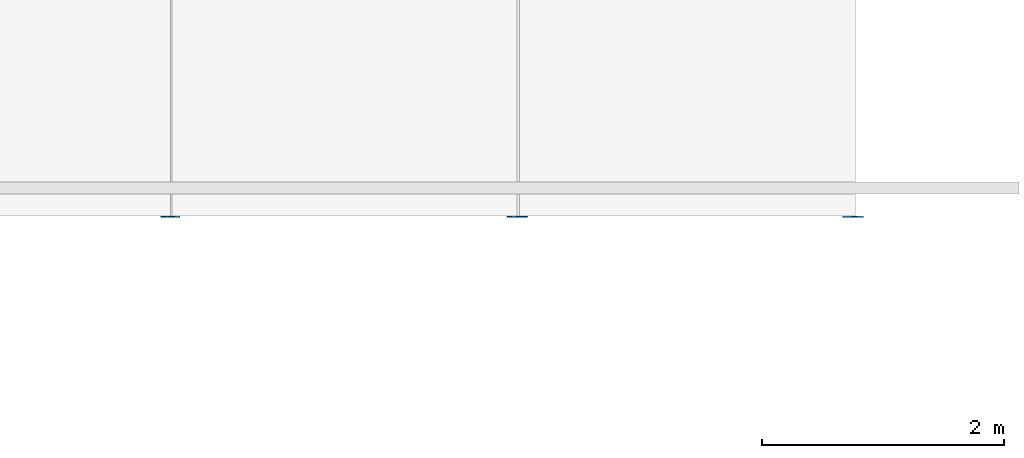
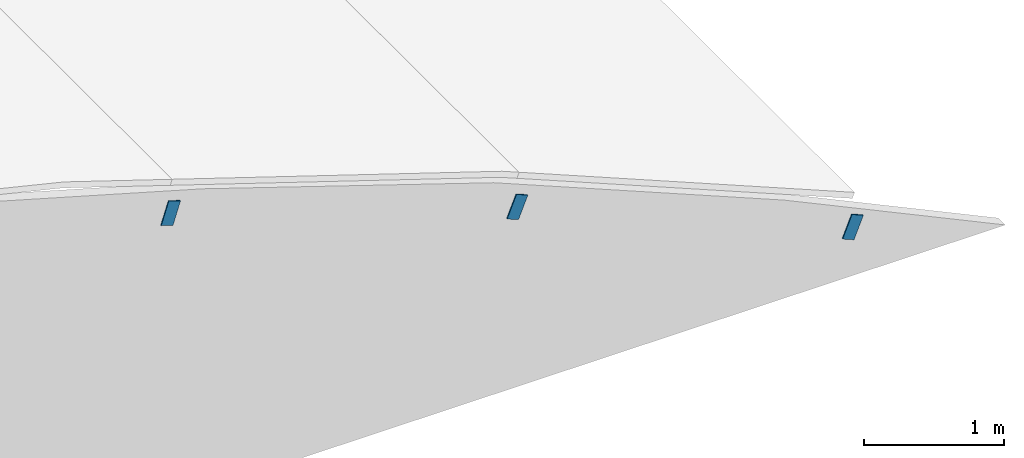
# One storey, part 11 of 17: 3 discrete accessories.
"""IFC4 building model written with IfcOpenShell, lengths in metres."""

from ifc_helpers import new_model, si_unit, direction, frame, origin, origin_2d, place, context, subcontext, project, spatial, rectangle, extrude, material, material_profile, profile_set, type_object, element, save


model = new_model("IFC4")

# Units and contexts
model_context = context("Model", 3, precision=1e-05, world=origin(), true_north=direction((0.0, 1.0)))
body_context = subcontext(model_context, "Body", "Model", "MODEL_VIEW")
ifc_project = project(units=[si_unit("LENGTHUNIT", "METRE"), si_unit("AREAUNIT", "SQUARE_METRE"), si_unit("VOLUMEUNIT", "CUBIC_METRE"), si_unit("PLANEANGLEUNIT", "RADIAN"), si_unit("MASSUNIT", "GRAM", prefix="KILO")], contexts=[model_context])

# Site, building, storey
site_placement = place(None, origin())
site = spatial("IfcSite", under=ifc_project, at=site_placement, CompositionType="ELEMENT")
building_placement = place(site_placement, origin())
building = spatial("IfcBuilding", under=site, at=building_placement, Name="Verrick Yard Athletic Hall", CompositionType="ELEMENT")
storey_placement = place(building_placement, frame((0.0, 0.0, 18.199951171875)))
storey = spatial("IfcBuildingStorey", under=building, at=storey_placement, Name="Roof", CompositionType="ELEMENT", Elevation=18.199951171875)

# Discrete accessories
ifc_material = material(Name="Structural steel 350W (CSA G40.21)", Category="steel")
ifc_material_profile = material_profile(ifc_material, rectangle(XDim=0.1015625, YDim=0.203125, at=origin_2d()), Name="STR End cap plate 203x102x9.5")
ifc_profile_set = profile_set([ifc_material_profile], Name="Structural steel 350W (CSA G40.21)")
discrete_accessory_type = type_object("IfcDiscreteAccessoryType", Name="STR End cap plate 203x102x9.5", PredefinedType="BRACKET", material=ifc_profile_set)
for number, where, z_axis, x_axis, name in (
    (1, (165.25732421875, 71.989990234375, 0.578125), (0.0, 1.0, 0.0), (-0.924122791552, 0.0, 0.382095624331), "End cap HB-PU-A-1-16 A"),
    (2, (159.62060546875, 71.989990234375, 2.6728515625), (0.0, 1.0, 0.0), (-0.951213620533, 0.0, 0.308533058379), "End cap HB-PU-A-1-14 A"),
    (3, (162.48486328125, 71.989990234375, 1.724365234375), (0.0, 1.0, 0.0), (-0.924122791552, 0.0, 0.382095624331), "End cap HB-PU-A-1-15 A"),
):
    element("IfcDiscreteAccessory", number, at=place(storey_placement, frame(where, z_axis=z_axis, x_axis=x_axis)), inside=storey, type_object=discrete_accessory_type, Name=name, PredefinedType="BRACKET", context=body_context, shape_type="SweptSolid", body=[
        extrude(rectangle(XDim=0.1015625, YDim=0.203125, at=origin_2d()), origin(), (0.0, 0.0, 1.0), 0.010009765625),
    ])

save(model, "model.ifc")
